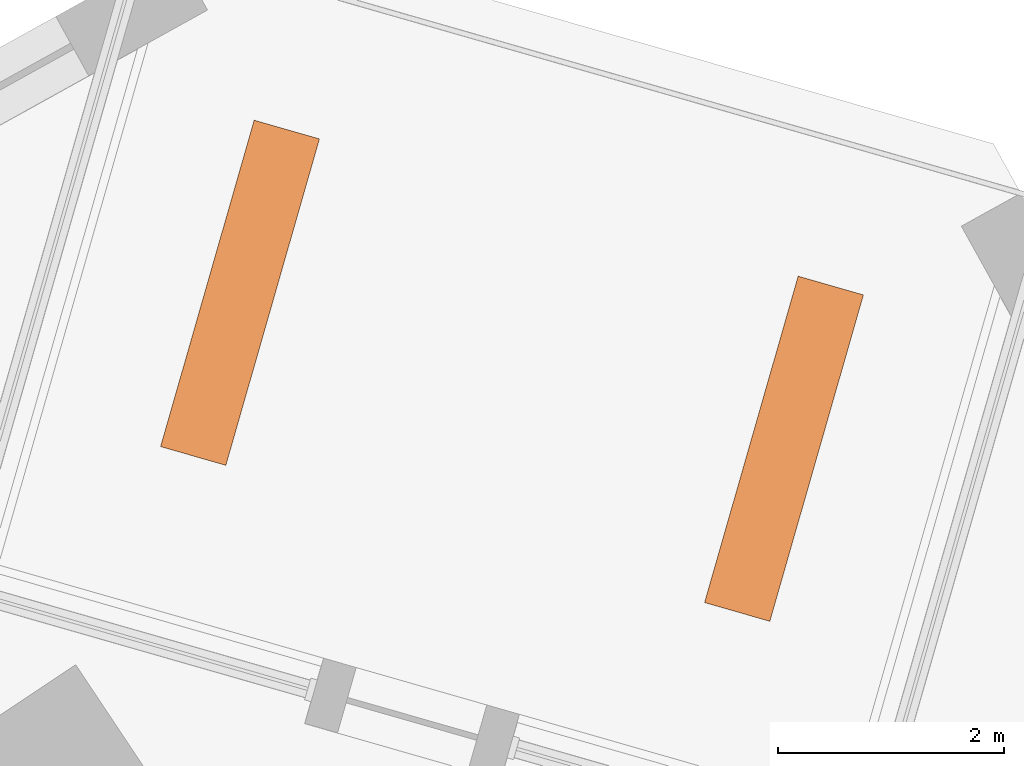
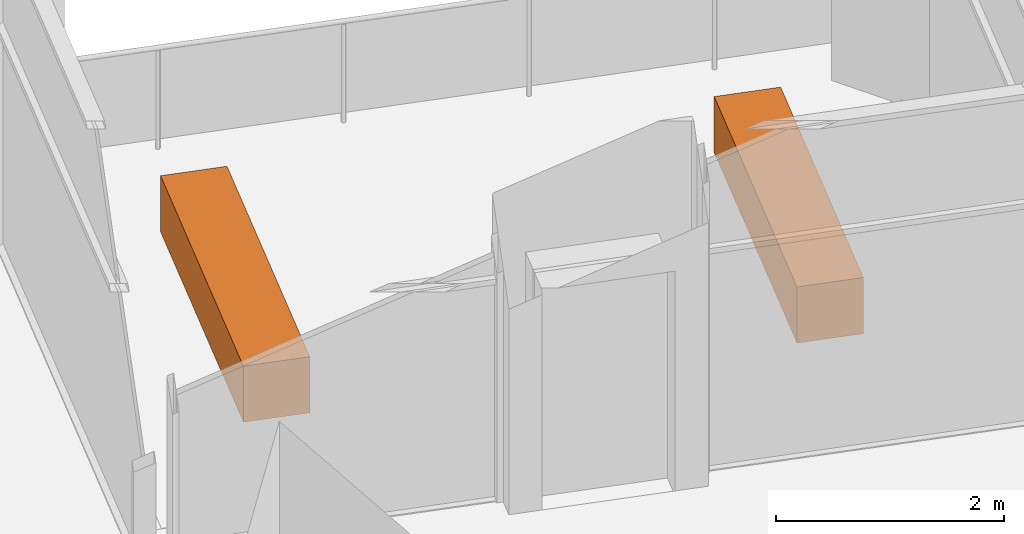
# One storey, part 12 of 12: 2 proxies.
"""IFC4 building model written with IfcOpenShell, lengths in metres."""

from ifc_helpers import new_model, si_unit, direction, frame, origin, origin_2d, place, context, subcontext, project, spatial, rectangle, extrude, element, save


model = new_model("IFC4")

# Units and contexts
model_context = context("Model", 3, precision=1e-05, world=origin(), true_north=direction((0.0, 1.0)))
body_context = subcontext(model_context, "Body", "Model", "MODEL_VIEW")
ifc_project = project(units=[si_unit("LENGTHUNIT", "METRE"), si_unit("AREAUNIT", "SQUARE_METRE"), si_unit("VOLUMEUNIT", "CUBIC_METRE"), si_unit("PLANEANGLEUNIT", "RADIAN"), si_unit("MASSUNIT", "GRAM", prefix="KILO")], contexts=[model_context])

# Site, building, storey
site_placement = place(None, origin())
site = spatial("IfcSite", under=ifc_project, at=site_placement, CompositionType="ELEMENT")
building_placement = place(site_placement, origin())
building = spatial("IfcBuilding", under=site, at=building_placement, Name="Dilmun Exchange Tower", CompositionType="ELEMENT")
storey_placement = place(building_placement, frame((0.0, 0.0, 139.699951171875)))
storey = spatial("IfcBuildingStorey", under=building, at=storey_placement, Name="L32", CompositionType="ELEMENT", Elevation=139.699951171875)

# Proxies
for number, where, z_axis, x_axis, name in (
    (1, (14.013916015625, 30.566650390625, 0.0), (0.0, 0.0, 1.0), (0.275637355817, 0.961261695938, 0.0), "PLANTER Ghaf tree L32.1"),
    (2, (9.20751953125, 31.94482421875, 0.0), (0.0, 0.0, 1.0), (0.275637355817, 0.961261695938, 0.0), "PLANTER Ghaf tree L32.2"),
):
    element("IfcBuildingElementProxy", number, at=place(storey_placement, frame(where, z_axis=z_axis, x_axis=x_axis)), inside=storey, Name=name, ObjectType="PLANTER", PredefinedType="USERDEFINED", context=body_context, shape_type="SweptSolid", body=[
        extrude(rectangle(XDim=3.0, YDim=0.60009765625, at=origin_2d()), origin(), (0.0, 0.0, 1.0), 0.60009765625),
    ])

save(model, "model.ifc")
